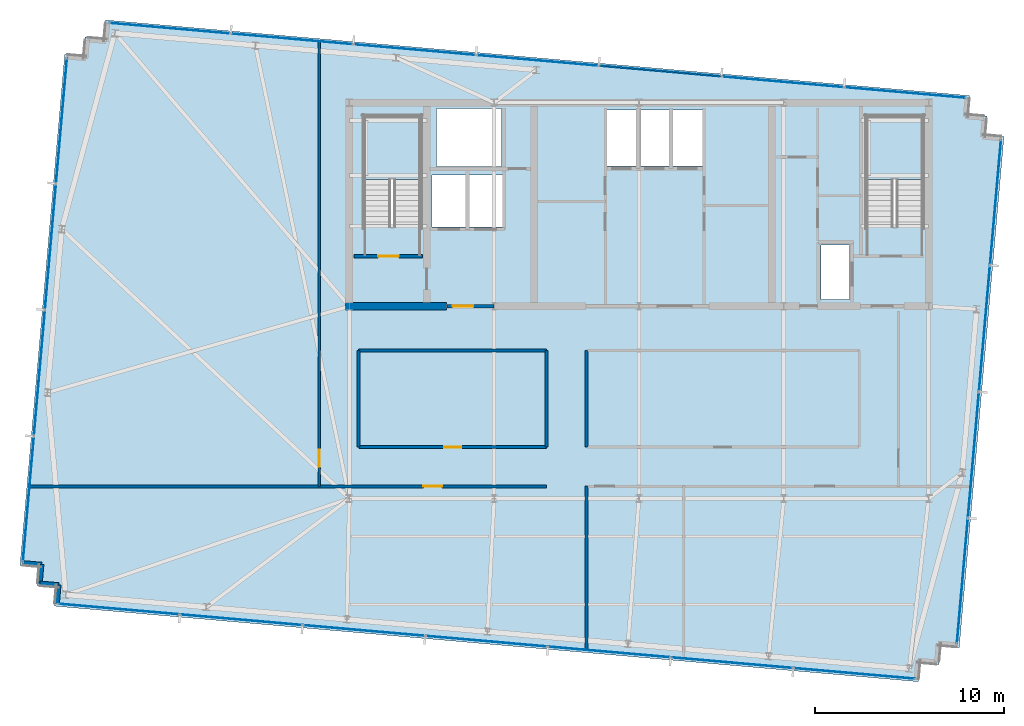
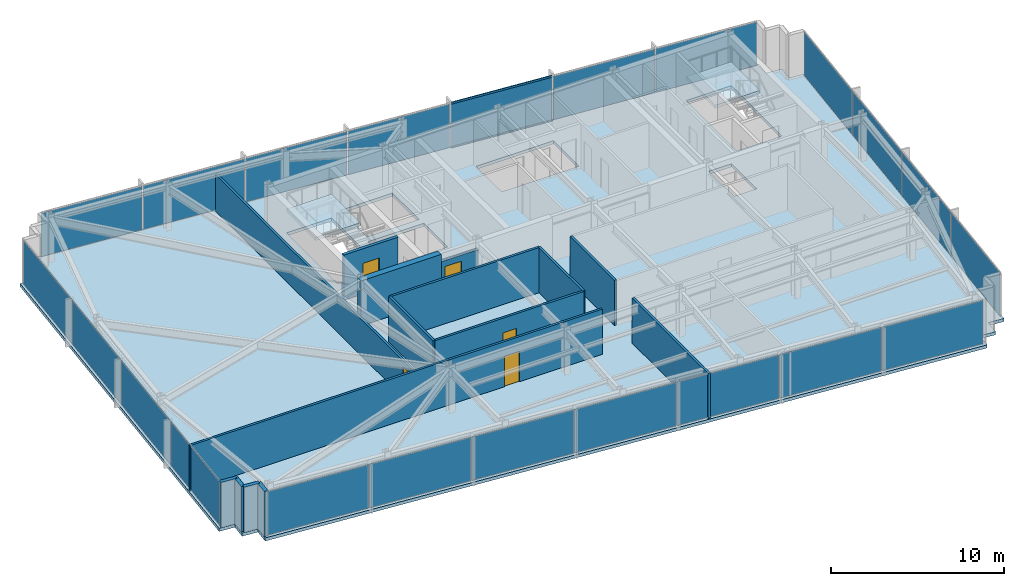
# One storey, part 26 of 32: 22 plates, 15 walls, 5 doors, 3 slabs, 2 members, 5 openings, 6 elements without a shape of their own.
"""IFC4 building model written with IfcOpenShell, lengths in metres."""

from ifc_helpers import new_model, si_unit, direction, frame, frame_2d, origin, origin_2d, place, context, subcontext, project, spatial, polyline, rectangle, hollow_rectangle, outline, extrude, material, layer, layer_set, material_profile, profile_set, type_object, element, fill, aggregate, save


model = new_model("IFC4")

# Units and contexts
model_context = context("Model", 3, precision=1e-05, world=origin(), true_north=direction((0.0, 1.0)))
body_context = subcontext(model_context, "Body", "Model", "MODEL_VIEW")
ifc_project = project(units=[si_unit("LENGTHUNIT", "METRE"), si_unit("AREAUNIT", "SQUARE_METRE"), si_unit("VOLUMEUNIT", "CUBIC_METRE"), si_unit("PLANEANGLEUNIT", "RADIAN"), si_unit("MASSUNIT", "GRAM", prefix="KILO")], contexts=[model_context])

# Site, building, storey
site_placement = place(None, origin())
site = spatial("IfcSite", under=ifc_project, at=site_placement, CompositionType="ELEMENT")
building_placement = place(site_placement, origin())
building = spatial("IfcBuilding", under=site, at=building_placement, Name="Yelkora Congress Tower", CompositionType="ELEMENT")
storey_placement = place(building_placement, frame((0.0, 0.0, 262.5)))
storey = spatial("IfcBuildingStorey", under=building, at=storey_placement, Name="L73", CompositionType="ELEMENT", Elevation=262.5)

# Curtain wall, members
ifc_material_1 = material(Name="Anodised aluminium and insulated glass", Category="aluminium")
curtain_wall_type = type_object("IfcCurtainWallType", Name="CW-SYS-B5", PredefinedType="NOTDEFINED", material=ifc_material_1)
curtain_wall_1_placement = place(storey_placement, origin())
curtain_wall_1 = element("IfcCurtainWall", 1, at=curtain_wall_1_placement, inside=storey, type_object=curtain_wall_type, Name="L73 Unitised Curtain Wall 10", PredefinedType="NOTDEFINED")
ifc_material_2 = material(Name="Anodised aluminium 6063-T6", Category="aluminium")
ifc_material_profile = material_profile(ifc_material_2, hollow_rectangle(XDim=0.06005859375, YDim=0.1298828125, WallThickness=0.00390625, at=origin_2d()), Name="ALU 60x130x4")
ifc_profile_set = profile_set([ifc_material_profile], Name="Anodised aluminium 6063-T6")
member_type = type_object("IfcMemberType", Name="MEM-TR-B5", PredefinedType="USERDEFINED", material=ifc_profile_set)
member_1_placement = place(storey_placement, frame((36.298583984375, 48.14794921875, 0.030029296875), z_axis=(0.996192979814, -0.08717538052, 0.0), x_axis=(0.08717538052, 0.996192979814, 0.0)))
member_1 = element("IfcMember", 2, at=member_1_placement, type_object=member_type, Name="CW-B5 transom 5.1", ObjectType="TRANSOM", PredefinedType="USERDEFINED", context=body_context, shape_type="SweptSolid", body=[
    extrude(hollow_rectangle(XDim=0.06005859375, YDim=0.1298828125, WallThickness=0.00390625, at=origin_2d()), origin(), (0.0, 0.0, 1.0), 6.466552734375),
])
member_2_placement = place(storey_placement, frame((36.298583984375, 48.14794921875, 3.14990234375), z_axis=(0.996192979814, -0.08717538052, 0.0), x_axis=(0.08717538052, 0.996192979814, 0.0)))
member_2 = element("IfcMember", 3, at=member_2_placement, type_object=member_type, Name="CW-B5 transom 5.2", ObjectType="TRANSOM", PredefinedType="USERDEFINED", context=body_context, shape_type="SweptSolid", body=[
    extrude(hollow_rectangle(XDim=0.06005859375, YDim=0.1298828125, WallThickness=0.00390625, at=origin_2d()), origin(), (0.0, 0.0, 1.0), 6.466552734375),
])

# Curtain wall, plates
curtain_wall_2_placement = place(storey_placement, origin())
curtain_wall_2 = element("IfcCurtainWall", 4, at=curtain_wall_2_placement, inside=storey, type_object=curtain_wall_type, Name="L73 Unitised Curtain Wall 5", PredefinedType="NOTDEFINED")
ifc_material_3 = material(Name="High-altitude triple glazed unit B5", Category="glass")
ifc_layer_1 = layer(ifc_material_3, 0.033935546875)
ifc_layer_set_1 = layer_set([ifc_layer_1], Name="High-altitude triple glazed unit B5")
plate_type = type_object("IfcPlateType", Name="PLT-PN-B5", PredefinedType="CURTAIN_PANEL", material=ifc_layer_set_1)
plate_1_placement = place(storey_placement, frame((6.021728515625, 25.16064453125, 0.06005859375), z_axis=(0.0, 0.0, 1.0), x_axis=(0.08715473876, 0.996194785929, 0.0)))
plate_1 = element("IfcPlate", 5, at=plate_1_placement, type_object=plate_type, Name="CW-B5 panel 1.1", PredefinedType="CURTAIN_PANEL", context=body_context, shape_type="SweptSolid", body=[
    extrude(rectangle(XDim=6.632568359375, YDim=0.033935546875, at=origin_2d()), origin(), (0.0, 0.0, 1.0), 3.06005859375),
])
plate_2_placement = place(storey_placement, frame((6.60693359375, 31.848876953125, 0.06005859375), z_axis=(0.0, 0.0, 1.0), x_axis=(0.08715473876, 0.996194785929, 0.0)))
plate_2 = element("IfcPlate", 6, at=plate_2_placement, type_object=plate_type, Name="CW-B5 panel 2.1", PredefinedType="CURTAIN_PANEL", context=body_context, shape_type="SweptSolid", body=[
    extrude(rectangle(XDim=6.6650390625, YDim=0.033935546875, at=origin_2d()), origin(), (0.0, 0.0, 1.0), 3.06005859375),
])
plate_3_placement = place(storey_placement, frame((7.193359375, 38.55322265625, 0.06005859375), z_axis=(0.0, 0.0, 1.0), x_axis=(0.08715473876, 0.996194785929, 0.0)))
plate_3 = element("IfcPlate", 7, at=plate_3_placement, type_object=plate_type, Name="CW-B5 panel 3.1", PredefinedType="CURTAIN_PANEL", context=body_context, shape_type="SweptSolid", body=[
    extrude(rectangle(XDim=6.6650390625, YDim=0.033935546875, at=origin_2d()), origin(), (0.0, 0.0, 1.0), 3.06005859375),
])
plate_4_placement = place(storey_placement, frame((7.778564453125, 45.2412109375, 0.06005859375), z_axis=(0.0, 0.0, 1.0), x_axis=(0.08715473876, 0.996194785929, 0.0)))
plate_4 = element("IfcPlate", 8, at=plate_4_placement, type_object=plate_type, Name="CW-B5 panel 4.1", PredefinedType="CURTAIN_PANEL", context=body_context, shape_type="SweptSolid", body=[
    extrude(rectangle(XDim=6.632568359375, YDim=0.033935546875, at=origin_2d()), origin(), (0.0, 0.0, 1.0), 3.06005859375),
])
aggregate(curtain_wall_2, [plate_1, plate_2, plate_3, plate_4])

# Plate
plate_5_placement = place(storey_placement, frame((13.509521484375, 50.141845703125, 0.06005859375), z_axis=(0.0, 0.0, 1.0), x_axis=(0.996194619601, -0.087156639893, 0.0)))
plate_5 = element("IfcPlate", 9, at=plate_5_placement, type_object=plate_type, Name="CW-B5 panel 1.1", PredefinedType="CURTAIN_PANEL", context=body_context, shape_type="SweptSolid", body=[
    extrude(rectangle(XDim=6.433837890625, YDim=0.033935546875, at=origin_2d()), origin(), (0.0, 0.0, 1.0), 3.06005859375),
])

plate_6_placement = place(storey_placement, frame((19.999755859375, 49.573974609375, 0.06005859375), z_axis=(0.0, 0.0, 1.0), x_axis=(0.996194619601, -0.087156639893, 0.0)))
plate_6 = element("IfcPlate", 10, at=plate_6_placement, type_object=plate_type, Name="CW-B5 panel 2.1", PredefinedType="CURTAIN_PANEL", context=body_context, shape_type="SweptSolid", body=[
    extrude(rectangle(XDim=6.46630859375, YDim=0.033935546875, at=origin_2d()), origin(), (0.0, 0.0, 1.0), 3.06005859375),
])

plate_7_placement = place(storey_placement, frame((26.50634765625, 49.004638671875, 0.06005859375), z_axis=(0.0, 0.0, 1.0), x_axis=(0.996194619601, -0.087156639893, 0.0)))
plate_7 = element("IfcPlate", 11, at=plate_7_placement, type_object=plate_type, Name="CW-B5 panel 3.1", PredefinedType="CURTAIN_PANEL", context=body_context, shape_type="SweptSolid", body=[
    extrude(rectangle(XDim=6.46630859375, YDim=0.033935546875, at=origin_2d()), origin(), (0.0, 0.0, 1.0), 3.06005859375),
])

plate_8_placement = place(storey_placement, frame((33.012939453125, 48.435302734375, 0.06005859375), z_axis=(0.0, 0.0, 1.0), x_axis=(0.996194619601, -0.087156639893, 0.0)))
plate_8 = element("IfcPlate", 12, at=plate_8_placement, type_object=plate_type, Name="CW-B5 panel 4.1", PredefinedType="CURTAIN_PANEL", context=body_context, shape_type="SweptSolid", body=[
    extrude(rectangle(XDim=6.46630859375, YDim=0.033935546875, at=origin_2d()), origin(), (0.0, 0.0, 1.0), 3.06005859375),
])

plate_9_placement = place(storey_placement, frame((39.51953125, 47.8662109375, 0.06005859375), z_axis=(0.0, 0.0, 1.0), x_axis=(0.996194619601, -0.087156639893, 0.0)))
plate_9 = element("IfcPlate", 13, at=plate_9_placement, type_object=plate_type, Name="CW-B5 panel 5.1", PredefinedType="CURTAIN_PANEL", context=body_context, shape_type="SweptSolid", body=[
    extrude(rectangle(XDim=6.46630859375, YDim=0.033935546875, at=origin_2d()), origin(), (0.0, 0.0, 1.0), 3.06005859375),
])

plate_10_placement = place(storey_placement, frame((46.026123046875, 47.296875, 0.06005859375), z_axis=(0.0, 0.0, 1.0), x_axis=(0.996194619601, -0.087156639893, 0.0)))
plate_10 = element("IfcPlate", 14, at=plate_10_placement, type_object=plate_type, Name="CW-B5 panel 6.1", PredefinedType="CURTAIN_PANEL", context=body_context, shape_type="SweptSolid", body=[
    extrude(rectangle(XDim=6.46630859375, YDim=0.033935546875, at=origin_2d()), origin(), (0.0, 0.0, 1.0), 3.06005859375),
])

plate_11_placement = place(storey_placement, frame((52.5166015625, 46.72900390625, 0.06005859375), z_axis=(0.0, 0.0, 1.0), x_axis=(0.996194619601, -0.087156639893, 0.0)))
plate_11 = element("IfcPlate", 15, at=plate_11_placement, type_object=plate_type, Name="CW-B5 panel 7.1", PredefinedType="CURTAIN_PANEL", context=body_context, shape_type="SweptSolid", body=[
    extrude(rectangle(XDim=6.433837890625, YDim=0.033935546875, at=origin_2d()), origin(), (0.0, 0.0, 1.0), 3.06005859375),
])

aggregate(curtain_wall_1, [plate_5, plate_6, plate_7, plate_8, member_1, member_2, plate_9, plate_10, plate_11])

# Curtain wall, plates
curtain_wall_3_placement = place(storey_placement, origin())
curtain_wall_3 = element("IfcCurtainWall", 16, at=curtain_wall_3_placement, inside=storey, type_object=curtain_wall_type, Name="L73 Unitised Curtain Wall 15", PredefinedType="NOTDEFINED")
plate_12_placement = place(storey_placement, frame((57.309326171875, 40.907958984375, 0.06005859375), z_axis=(0.0, 0.0, 1.0), x_axis=(-0.087158425264, -0.996194463398, 0.0)))
plate_12 = element("IfcPlate", 17, at=plate_12_placement, type_object=plate_type, Name="CW-B5 panel 1.1", PredefinedType="CURTAIN_PANEL", context=body_context, shape_type="SweptSolid", body=[
    extrude(rectangle(XDim=6.632568359375, YDim=0.033935546875, at=origin_2d()), origin(), (0.0, 0.0, 1.0), 3.06005859375),
])
plate_13_placement = place(storey_placement, frame((56.72412109375, 34.2197265625, 0.06005859375), z_axis=(0.0, 0.0, 1.0), x_axis=(-0.087158425264, -0.996194463398, 0.0)))
plate_13 = element("IfcPlate", 18, at=plate_13_placement, type_object=plate_type, Name="CW-B5 panel 2.1", PredefinedType="CURTAIN_PANEL", context=body_context, shape_type="SweptSolid", body=[
    extrude(rectangle(XDim=6.6650390625, YDim=0.033935546875, at=origin_2d()), origin(), (0.0, 0.0, 1.0), 3.06005859375),
])
plate_14_placement = place(storey_placement, frame((56.1376953125, 27.515380859375, 0.06005859375), z_axis=(0.0, 0.0, 1.0), x_axis=(-0.087158425264, -0.996194463398, 0.0)))
plate_14 = element("IfcPlate", 19, at=plate_14_placement, type_object=plate_type, Name="CW-B5 panel 3.1", PredefinedType="CURTAIN_PANEL", context=body_context, shape_type="SweptSolid", body=[
    extrude(rectangle(XDim=6.6650390625, YDim=0.033935546875, at=origin_2d()), origin(), (0.0, 0.0, 1.0), 3.06005859375),
])
plate_15_placement = place(storey_placement, frame((55.552490234375, 20.8271484375, 0.06005859375), z_axis=(0.0, 0.0, 1.0), x_axis=(-0.087158425264, -0.996194463398, 0.0)))
plate_15 = element("IfcPlate", 20, at=plate_15_placement, type_object=plate_type, Name="CW-B5 panel 4.1", PredefinedType="CURTAIN_PANEL", context=body_context, shape_type="SweptSolid", body=[
    extrude(rectangle(XDim=6.632568359375, YDim=0.033935546875, at=origin_2d()), origin(), (0.0, 0.0, 1.0), 3.06005859375),
])
aggregate(curtain_wall_3, [plate_12, plate_13, plate_14, plate_15])

curtain_wall_4_placement = place(storey_placement, origin())
curtain_wall_4 = element("IfcCurtainWall", 21, at=curtain_wall_4_placement, inside=storey, type_object=curtain_wall_type, Name="L73 Unitised Curtain Wall 20", PredefinedType="NOTDEFINED")
plate_16_placement = place(storey_placement, frame((49.821533203125, 15.9267578125, 0.06005859375), z_axis=(0.0, 0.0, 1.0), x_axis=(-0.996194602987, 0.087156829793, 0.0)))
plate_16 = element("IfcPlate", 22, at=plate_16_placement, type_object=plate_type, Name="CW-B5 panel 1.1", PredefinedType="CURTAIN_PANEL", context=body_context, shape_type="SweptSolid", body=[
    extrude(rectangle(XDim=6.433837890625, YDim=0.033935546875, at=origin_2d()), origin(), (0.0, 0.0, 1.0), 3.06005859375),
])
plate_17_placement = place(storey_placement, frame((43.331298828125, 16.49462890625, 0.06005859375), z_axis=(0.0, 0.0, 1.0), x_axis=(-0.996194602987, 0.087156829793, 0.0)))
plate_17 = element("IfcPlate", 23, at=plate_17_placement, type_object=plate_type, Name="CW-B5 panel 2.1", PredefinedType="CURTAIN_PANEL", context=body_context, shape_type="SweptSolid", body=[
    extrude(rectangle(XDim=6.46630859375, YDim=0.033935546875, at=origin_2d()), origin(), (0.0, 0.0, 1.0), 3.06005859375),
])
plate_18_placement = place(storey_placement, frame((36.82470703125, 17.06396484375, 0.06005859375), z_axis=(0.0, 0.0, 1.0), x_axis=(-0.996194602987, 0.087156829793, 0.0)))
plate_18 = element("IfcPlate", 24, at=plate_18_placement, type_object=plate_type, Name="CW-B5 panel 3.1", PredefinedType="CURTAIN_PANEL", context=body_context, shape_type="SweptSolid", body=[
    extrude(rectangle(XDim=6.46630859375, YDim=0.033935546875, at=origin_2d()), origin(), (0.0, 0.0, 1.0), 3.06005859375),
])
plate_19_placement = place(storey_placement, frame((30.318115234375, 17.633056640625, 0.06005859375), z_axis=(0.0, 0.0, 1.0), x_axis=(-0.996194602987, 0.087156829793, 0.0)))
plate_19 = element("IfcPlate", 25, at=plate_19_placement, type_object=plate_type, Name="CW-B5 panel 4.1", PredefinedType="CURTAIN_PANEL", context=body_context, shape_type="SweptSolid", body=[
    extrude(rectangle(XDim=6.46630859375, YDim=0.033935546875, at=origin_2d()), origin(), (0.0, 0.0, 1.0), 3.06005859375),
])
plate_20_placement = place(storey_placement, frame((23.8115234375, 18.202392578125, 0.06005859375), z_axis=(0.0, 0.0, 1.0), x_axis=(-0.996194602987, 0.087156829793, 0.0)))
plate_20 = element("IfcPlate", 26, at=plate_20_placement, type_object=plate_type, Name="CW-B5 panel 5.1", PredefinedType="CURTAIN_PANEL", context=body_context, shape_type="SweptSolid", body=[
    extrude(rectangle(XDim=6.46630859375, YDim=0.033935546875, at=origin_2d()), origin(), (0.0, 0.0, 1.0), 3.06005859375),
])
plate_21_placement = place(storey_placement, frame((17.304931640625, 18.771728515625, 0.06005859375), z_axis=(0.0, 0.0, 1.0), x_axis=(-0.996194602987, 0.087156829793, 0.0)))
plate_21 = element("IfcPlate", 27, at=plate_21_placement, type_object=plate_type, Name="CW-B5 panel 6.1", PredefinedType="CURTAIN_PANEL", context=body_context, shape_type="SweptSolid", body=[
    extrude(rectangle(XDim=6.46630859375, YDim=0.033935546875, at=origin_2d()), origin(), (0.0, 0.0, 1.0), 3.06005859375),
])
plate_22_placement = place(storey_placement, frame((10.814697265625, 19.33935546875, 0.06005859375), z_axis=(0.0, 0.0, 1.0), x_axis=(-0.996194602987, 0.087156829793, 0.0)))
plate_22 = element("IfcPlate", 28, at=plate_22_placement, type_object=plate_type, Name="CW-B5 panel 7.1", PredefinedType="CURTAIN_PANEL", context=body_context, shape_type="SweptSolid", body=[
    extrude(rectangle(XDim=6.433837890625, YDim=0.033935546875, at=origin_2d()), origin(), (0.0, 0.0, 1.0), 3.06005859375),
])
aggregate(curtain_wall_4, [plate_16, plate_17, plate_18, plate_19, plate_20, plate_21, plate_22])

# Stair, slab
ifc_material_4 = material(Name="Concrete C40/50", Category="concrete")
stair_type = type_object("IfcStairType", Name="STAIR-HT-1420-R20-170", PredefinedType="HALF_TURN_STAIR", material=ifc_material_4)
stair_1_placement = place(storey_placement, origin())
stair_1 = element("IfcStair", 29, at=stair_1_placement, inside=storey, type_object=stair_type, Name="West Core Protected Exit Stair ST-01 (L73)", PredefinedType="HALF_TURN_STAIR")
ifc_layer_2 = layer(ifc_material_4, 0.219970703125)
ifc_layer_set_2 = layer_set([ifc_layer_2], Name="Concrete C40/50")
slab_type_1 = type_object("IfcSlabType", Name="SLAB-LANDING-220", PredefinedType="LANDING", material=ifc_layer_set_2)
slab_1_placement = place(storey_placement, frame((0.0, 0.0, 1.47998046875)))
slab_1 = element("IfcSlab", 30, at=slab_1_placement, type_object=slab_type_1, Name="ST-01 L73 Half Landing 1", PredefinedType="LANDING", context=body_context, shape_type="SweptSolid", body=[
    extrude(outline(polyline([(26.820068359375, 42.1201171875), (26.820068359375, 45.469970703125), (23.820068359375, 45.469970703125), (23.820068359375, 42.1201171875), (26.820068359375, 42.1201171875)])), origin(), (0.0, 0.0, 1.0), 0.219970703125),
])
aggregate(stair_1, [slab_1])

stair_2_placement = place(storey_placement, origin())
stair_2 = element("IfcStair", 31, at=stair_2_placement, inside=storey, type_object=stair_type, Name="East Core Protected Exit Stair ST-02 (L73)", PredefinedType="HALF_TURN_STAIR")
slab_2_placement = place(storey_placement, frame((0.0, 0.0, 1.47998046875)))
slab_2 = element("IfcSlab", 32, at=slab_2_placement, type_object=slab_type_1, Name="ST-02 L73 Half Landing 1", PredefinedType="LANDING", context=body_context, shape_type="SweptSolid", body=[
    extrude(outline(polyline([(53.4599609375, 42.1201171875), (53.4599609375, 45.469970703125), (50.4599609375, 45.469970703125), (50.4599609375, 42.1201171875), (53.4599609375, 42.1201171875)])), origin(), (0.0, 0.0, 1.0), 0.219970703125),
])
aggregate(stair_2, [slab_2])

# Slab
ifc_layer_3 = layer(ifc_material_4, 0.219970703125)
ifc_layer_set_3 = layer_set([ifc_layer_3], Name="Concrete C40/50")
slab_type_2 = type_object("IfcSlabType", Name="SLAB-TWR-220", PredefinedType="FLOOR", material=ifc_layer_set_3)
slab_3_placement = place(storey_placement, frame((0.0, 0.0, -0.219970703125)))
element("IfcSlab", 33, at=slab_3_placement, inside=storey, type_object=slab_type_2, Name="L73 Structural Floor Slab", PredefinedType="FLOOR", context=body_context, shape_type="SweptSolid", body=[
    extrude(outline(polyline([(7.3935546875, 19.498291015625), (53.218505859375, 15.489013671875), (53.3056640625, 16.485107421875), (54.3017578125, 16.398193359375), (54.388916015625, 17.394287109375), (55.385009765625, 17.30712890625), (57.755859375, 44.403564453125), (56.759521484375, 44.49072265625), (56.8466796875, 45.487060546875), (55.8505859375, 45.57421875), (55.937744140625, 46.5703125), (10.11279296875, 50.57958984375), (10.025634765625, 49.583251953125), (9.029296875, 49.67041015625), (8.942138671875, 48.67431640625), (7.946044921875, 48.761474609375), (5.575439453125, 21.664794921875), (6.571533203125, 21.57763671875), (6.484619140625, 20.58154296875), (7.480712890625, 20.494384765625), (7.3935546875, 19.498291015625)]), holes=[polyline([(23.820068359375, 39.6298828125), (26.820068359375, 39.6298828125), (26.820068359375, 45.469970703125), (23.820068359375, 45.469970703125), (23.820068359375, 39.6298828125)]), polyline([(50.4599609375, 39.6298828125), (53.4599609375, 39.6298828125), (53.4599609375, 45.469970703125), (50.4599609375, 45.469970703125), (50.4599609375, 39.6298828125)]), polyline([(48.050048828125, 35.75), (49.550048828125, 35.75), (49.550048828125, 38.64990234375), (48.050048828125, 38.64990234375), (48.050048828125, 35.75)]), polyline([(36.64990234375, 42.85009765625), (41.800048828125, 42.85009765625), (41.800048828125, 45.800048828125), (36.64990234375, 45.800048828125), (36.64990234375, 42.85009765625)]), polyline([(27.419921875, 39.60009765625), (31.179931640625, 39.60009765625), (31.179931640625, 42.35009765625), (27.419921875, 42.35009765625), (27.419921875, 39.60009765625)]), polyline([(27.64990234375, 42.820068359375), (31.1201171875, 42.820068359375), (31.1201171875, 45.8798828125), (27.64990234375, 45.8798828125), (27.64990234375, 42.820068359375)])]), origin(), (0.0, 0.0, 1.0), 0.219970703125),
])

# Walls
ifc_material_5 = material(Name="Concrete C50/60", Category="concrete")
ifc_layer_4 = layer(ifc_material_5, 0.39990234375)
ifc_layer_set_4 = layer_set([ifc_layer_4], Name="Concrete C50/60")
wall_type_1 = type_object("IfcWallType", Name="WALL-CORE-INT-400", PredefinedType="SHEAR", material=ifc_layer_set_4)
wall_1_placement = place(storey_placement, frame((22.840087890625, 35.39990234375, 0.0), z_axis=(0.0, 0.0, 1.0), x_axis=(1.0, 0.0, 0.0)))
element("IfcWall", 34, at=wall_1_placement, inside=storey, type_object=wall_type_1, Name="L73 Rear Core South-West Shear Wall", PredefinedType="SHEAR", context=body_context, shape_type="SweptSolid", body=[
    extrude(rectangle(XDim=5.35986328125, YDim=0.39990234375, at=frame_2d((2.679931640625, 0.0))), origin(), (0.0, 0.0, 1.0), 3.179931640625),
])
ifc_layer_5 = layer(ifc_material_4, 0.239990234375)
ifc_layer_set_5 = layer_set([ifc_layer_5], Name="Concrete C40/50")
wall_type_2 = type_object("IfcWallType", Name="WALL-EXT-LIMESTONE-240", PredefinedType="SOLIDWALL", material=ifc_layer_set_5)
for number, where, z_axis, x_axis, name in (
    (35, (7.545166015625, 19.62548828125, 0.0), (0.0, 0.0, 1.0), (0.087166950281, 0.996193717496, 0.0), "L73 Serrated Corner Limestone Pier 1"),
    (36, (7.63232421875, 20.62158203125, 0.0), (0.0, 0.0, 1.0), (-0.996193717496, 0.087166950281, 0.0), "L73 Serrated Corner Limestone Pier 2"),
):
    element("IfcWall", number, at=place(storey_placement, frame(where, z_axis=z_axis, x_axis=x_axis)), inside=storey, type_object=wall_type_2, Name=name, PredefinedType="SOLIDWALL", context=body_context, shape_type="SweptSolid", body=[
        extrude(rectangle(XDim=1.0, YDim=0.239990234375, at=frame_2d((0.5, 0.0))), origin(), (0.0, 0.0, 1.0), 3.179931640625),
    ])
for number, where, z_axis, x_axis, name in (
    (37, (6.63623046875, 20.708740234375, 0.0), (0.0, 0.0, 1.0), (0.087145753297, 0.996195572005, 0.0), "L73 Serrated Corner Limestone Pier 3"),
    (38, (6.723388671875, 21.705078125, 0.0), (0.0, 0.0, 1.0), (-0.996195572005, 0.087145753297, 0.0), "L73 Serrated Corner Limestone Pier 4"),
):
    element("IfcWall", number, at=place(storey_placement, frame(where, z_axis=z_axis, x_axis=x_axis)), inside=storey, type_object=wall_type_2, Name=name, PredefinedType="SOLIDWALL", context=body_context, shape_type="SweptSolid", body=[
        extrude(rectangle(XDim=1.000244140625, YDim=0.239990234375, at=frame_2d((0.5, 0.0))), origin(), (0.0, 0.0, 1.0), 3.179931640625),
    ])
ifc_material_6 = material(Name="Acoustic metal-stud gypsum partition", Category="gypsum")
ifc_layer_6 = layer(ifc_material_6, 0.14990234375)
ifc_layer_set_6 = layer_set([ifc_layer_6], Name="Acoustic metal-stud gypsum partition")
wall_type_3 = type_object("IfcWallType", Name="WALL-INT-150-NR", PredefinedType="PARTITIONING", material=ifc_layer_set_6)
wall_2_placement = place(storey_placement, frame((35.6201171875, 17.10888671875, 0.0), z_axis=(0.0, 0.0, 1.0), x_axis=(0.0, 1.0, 0.0)))
element("IfcWall", 39, at=wall_2_placement, inside=storey, type_object=wall_type_3, Name="L73 Partition Wall 23", PredefinedType="PARTITIONING", context=body_context, shape_type="SweptSolid", body=[
    extrude(rectangle(XDim=8.76123046875, YDim=0.14990234375, at=frame_2d((4.380615234375, 0.0))), origin(), (0.0, 0.0, 1.0), 3.179931640625),
])

# Wall, opening, door
wall_3_placement = place(storey_placement, frame((6.021728515625, 25.85009765625, 0.0), z_axis=(0.0, 0.0, 1.0), x_axis=(1.0, 0.0, 0.0)))
wall_3 = element("IfcWall", 40, at=wall_3_placement, inside=storey, type_object=wall_type_3, Name="L73 South Spine Wall West", PredefinedType="PARTITIONING", context=body_context, shape_type="SweptSolid", body=[
    extrude(rectangle(XDim=27.478271484375, YDim=0.14990234375, at=frame_2d((13.7392578125, 0.0))), origin(), (0.0, 0.0, 1.0), 3.179931640625),
])
opening_1_placement = place(wall_3_placement, frame((20.943115234375, 0.0, 0.0)))
opening_1 = element("IfcOpeningElement", 41, at=opening_1_placement, cuts=wall_3, Name="Opening DR-100N", PredefinedType="OPENING", context=body_context, shape_type="SweptSolid", body=[
    extrude(rectangle(XDim=1.0, YDim=2.14990234375, at=frame_2d((0.5, 1.074951171875))), frame((0.0, 0.0849609375, 0.0), z_axis=(0.0, -1.0, 0.0), x_axis=(1.0, 0.0, 0.0)), (0.0, 0.0, 1.0), 0.169921875),
])
ifc_material_7 = material(Name="Solid-core Anatolian oak veneer door", Category="wood")
door_type_1 = type_object("IfcDoorType", Name="DOOR-INT-1000", OperationType="NOTDEFINED", PredefinedType="DOOR", material=ifc_material_7)
door_1_placement = place(opening_1_placement, origin())
door_1 = element("IfcDoor", 42, at=door_1_placement, inside=storey, type_object=door_type_1, Name="L73 Committee Meeting Room Door", OperationType="SINGLE_SWING_RIGHT", OverallHeight=2.14990234375, OverallWidth=1.0, PredefinedType="DOOR", context=body_context, shape_type="SweptSolid", body=[
    extrude(rectangle(XDim=1.0, YDim=2.14990234375, at=frame_2d((0.5, 1.074951171875))), frame((0.0, 0.02490234375, 0.0), z_axis=(0.0, -1.0, 0.0), x_axis=(1.0, 0.0, 0.0)), (0.0, 0.0, 1.0), 0.050048828125),
])
fill(opening_1, door_1)

wall_4_placement = place(storey_placement, frame((21.43994140625, 25.85009765625, 0.0), z_axis=(0.0, 0.0, 1.0), x_axis=(0.0, 1.0, 0.0)))
wall_4 = element("IfcWall", 43, at=wall_4_placement, inside=storey, type_object=wall_type_3, Name="L73 Partition Wall 27", PredefinedType="PARTITIONING", context=body_context, shape_type="SweptSolid", body=[
    extrude(rectangle(XDim=23.658203125, YDim=0.14990234375, at=frame_2d((11.8291015625, 0.0))), origin(), (0.0, 0.0, 1.0), 2.574951171875),
])
opening_2_placement = place(wall_4_placement, frame((1.030029296875, 0.0, 0.0)))
opening_2 = element("IfcOpeningElement", 44, at=opening_2_placement, cuts=wall_4, Name="Opening DR-090N", PredefinedType="OPENING", context=body_context, shape_type="SweptSolid", body=[
    extrude(rectangle(XDim=0.89990234375, YDim=2.14990234375, at=frame_2d((0.449951171875, 1.074951171875))), frame((0.0, 0.0849609375, 0.0), z_axis=(0.0, -1.0, 0.0), x_axis=(1.0, 0.0, 0.0)), (0.0, 0.0, 1.0), 0.169921875),
])
ifc_material_8 = material(Name="Moisture-resistant laminate door leaf", Category="wood")
door_type_2 = type_object("IfcDoorType", Name="DOOR-INT-900", OperationType="NOTDEFINED", PredefinedType="DOOR", material=ifc_material_8)
door_2_placement = place(opening_2_placement, origin())
door_2 = element("IfcDoor", 45, at=door_2_placement, inside=storey, type_object=door_type_2, Name="L73 W Wing Door", OperationType="SINGLE_SWING_LEFT", OverallHeight=2.14990234375, OverallWidth=0.89990234375, PredefinedType="DOOR", context=body_context, shape_type="SweptSolid", body=[
    extrude(rectangle(XDim=0.89990234375, YDim=2.14990234375, at=frame_2d((0.449951171875, 1.074951171875))), frame((0.0, 0.02490234375, 0.0), z_axis=(0.0, -1.0, 0.0), x_axis=(1.0, 0.0, 0.0)), (0.0, 0.0, 1.0), 0.050048828125),
])
fill(opening_2, door_2)

# Walls
for number, where, z_axis, x_axis, name in (
    (46, (23.52001953125, 27.929931640625, 0.0), (0.0, 0.0, 1.0), (0.0, 1.0, 0.0), "L73 Partition Wall 29"),
    (47, (33.5, 27.929931640625, 0.0), (0.0, 0.0, 1.0), (0.0, 1.0, 0.0), "L73 Partition Wall 31"),
    (48, (35.6201171875, 27.929931640625, 0.0), (0.0, 0.0, 1.0), (0.0, 1.0, 0.0), "L73 Partition Wall 32"),
):
    element("IfcWall", number, at=place(storey_placement, frame(where, z_axis=z_axis, x_axis=x_axis)), inside=storey, type_object=wall_type_3, Name=name, PredefinedType="PARTITIONING", context=body_context, shape_type="SweptSolid", body=[
        extrude(rectangle(XDim=5.1201171875, YDim=0.14990234375, at=frame_2d((2.56005859375, 0.0))), origin(), (0.0, 0.0, 1.0), 3.179931640625),
    ])
wall_5_placement = place(storey_placement, frame((23.52001953125, 33.050048828125, 0.0), z_axis=(0.0, 0.0, 1.0), x_axis=(1.0, 0.0, 0.0)))
element("IfcWall", 49, at=wall_5_placement, inside=storey, type_object=wall_type_3, Name="L73 Partition Wall 33", PredefinedType="PARTITIONING", context=body_context, shape_type="SweptSolid", body=[
    extrude(rectangle(XDim=9.97998046875, YDim=0.14990234375, at=frame_2d((4.989990234375, 0.0))), origin(), (0.0, 0.0, 1.0), 3.179931640625),
])

# Wall, opening, door
wall_6_placement = place(storey_placement, frame((23.5400390625, 27.929931640625, 0.0), z_axis=(0.0, 0.0, 1.0), x_axis=(1.0, 0.0, 0.0)))
wall_6 = element("IfcWall", 50, at=wall_6_placement, inside=storey, type_object=wall_type_3, Name="L73 Partition Wall 35", PredefinedType="PARTITIONING", context=body_context, shape_type="SweptSolid", body=[
    extrude(rectangle(XDim=9.949951171875, YDim=0.14990234375, at=frame_2d((4.97509765625, 0.0))), origin(), (0.0, 0.0, 1.0), 3.179931640625),
])
opening_3_placement = place(wall_6_placement, frame((4.52490234375, 0.0, 0.0)))
opening_3 = element("IfcOpeningElement", 51, at=opening_3_placement, cuts=wall_6, Name="Opening DR-090N", PredefinedType="OPENING", context=body_context, shape_type="SweptSolid", body=[
    extrude(rectangle(XDim=0.89990234375, YDim=2.14990234375, at=frame_2d((0.449951171875, 1.074951171875))), frame((0.0, 0.0849609375, 0.0), z_axis=(0.0, -1.0, 0.0), x_axis=(1.0, 0.0, 0.0)), (0.0, 0.0, 1.0), 0.169921875),
])
door_3_placement = place(opening_3_placement, origin())
door_3 = element("IfcDoor", 52, at=door_3_placement, inside=storey, type_object=door_type_2, Name="L73 Catering Servery Kitchen Door", OperationType="SINGLE_SWING_LEFT", OverallHeight=2.14990234375, OverallWidth=0.89990234375, PredefinedType="DOOR", context=body_context, shape_type="SweptSolid", body=[
    extrude(rectangle(XDim=0.89990234375, YDim=2.14990234375, at=frame_2d((0.449951171875, 1.074951171875))), frame((0.0, 0.02490234375, 0.0), z_axis=(0.0, -1.0, 0.0), x_axis=(1.0, 0.0, 0.0)), (0.0, 0.0, 1.0), 0.050048828125),
])
fill(opening_3, door_3)

ifc_material_9 = material(Name="Autoclaved aerated concrete blockwork", Category="masonry")
ifc_layer_7 = layer(ifc_material_9, 0.199951171875)
ifc_layer_set_7 = layer_set([ifc_layer_7], Name="Autoclaved aerated concrete blockwork")
wall_type_4 = type_object("IfcWallType", Name="WALL-INT-200-R120", PredefinedType="PARTITIONING", material=ifc_layer_set_7)
wall_7_placement = place(storey_placement, frame((23.300048828125, 38.050048828125, 0.0), z_axis=(0.0, 0.0, 1.0), x_axis=(1.0, 0.0, 0.0)))
wall_7 = element("IfcWall", 53, at=wall_7_placement, inside=storey, type_object=wall_type_4, Name="L73 Stair ST-01 Enclosure Wall", PredefinedType="PARTITIONING", context=body_context, shape_type="SweptSolid", body=[
    extrude(rectangle(XDim=3.619873046875, YDim=0.199951171875, at=frame_2d((1.81005859375, 0.0))), origin(), (0.0, 0.0, 1.0), 3.179931640625),
])
opening_4_placement = place(wall_7_placement, frame((1.260009765625, 0.0, 0.0)))
opening_4 = element("IfcOpeningElement", 54, at=opening_4_placement, cuts=wall_7, Name="Opening DR-110F9", PredefinedType="OPENING", context=body_context, shape_type="SweptSolid", body=[
    extrude(rectangle(XDim=1.10009765625, YDim=2.14990234375, at=frame_2d((0.550048828125, 1.074951171875))), frame((0.0, 0.10986328125, 0.0), z_axis=(0.0, -1.0, 0.0), x_axis=(1.0, 0.0, 0.0)), (0.0, 0.0, 1.0), 0.219970703125),
])
ifc_material_10 = material(Name="Galvanised steel fire door leaf", Category="steel")
door_type_3 = type_object("IfcDoorType", Name="DOOR-FD90-1100", OperationType="NOTDEFINED", PredefinedType="DOOR", material=ifc_material_10)
door_4_placement = place(opening_4_placement, origin())
door_4 = element("IfcDoor", 55, at=door_4_placement, inside=storey, type_object=door_type_3, Name="L73 Stair ST-01 Entry Door", OperationType="SINGLE_SWING_LEFT", OverallHeight=2.14990234375, OverallWidth=1.10009765625, PredefinedType="DOOR", context=body_context, shape_type="SweptSolid", body=[
    extrude(rectangle(XDim=1.10009765625, YDim=2.14990234375, at=frame_2d((0.550048828125, 1.074951171875))), frame((0.0, 0.02490234375, 0.0), z_axis=(0.0, -1.0, 0.0), x_axis=(1.0, 0.0, 0.0)), (0.0, 0.0, 1.0), 0.050048828125),
])
fill(opening_4, door_4)

wall_8_placement = place(storey_placement, frame((28.219970703125, 35.39990234375, 0.0), z_axis=(0.0, 0.0, 1.0), x_axis=(1.0, 0.0, 0.0)))
wall_8 = element("IfcWall", 56, at=wall_8_placement, inside=storey, type_object=wall_type_4, Name="L73 Firefighting Lobby South Wall", PredefinedType="PARTITIONING", context=body_context, shape_type="SweptSolid", body=[
    extrude(rectangle(XDim=2.5, YDim=0.199951171875, at=frame_2d((1.25, 0.0))), origin(), (0.0, 0.0, 1.0), 2.574951171875),
])
opening_5_placement = place(wall_8_placement, frame((0.300048828125, 0.0, 0.0)))
opening_5 = element("IfcOpeningElement", 57, at=opening_5_placement, cuts=wall_8, Name="Opening DR-110F9", PredefinedType="OPENING", context=body_context, shape_type="SweptSolid", body=[
    extrude(rectangle(XDim=1.10009765625, YDim=2.14990234375, at=frame_2d((0.550048828125, 1.074951171875))), frame((0.0, 0.10986328125, 0.0), z_axis=(0.0, -1.0, 0.0), x_axis=(1.0, 0.0, 0.0)), (0.0, 0.0, 1.0), 0.219970703125),
])
door_5_placement = place(opening_5_placement, origin())
door_5 = element("IfcDoor", 58, at=door_5_placement, inside=storey, type_object=door_type_3, Name="L73 Firefighting Lobby Corridor Door", OperationType="SINGLE_SWING_RIGHT", OverallHeight=2.14990234375, OverallWidth=1.10009765625, PredefinedType="DOOR", context=body_context, shape_type="SweptSolid", body=[
    extrude(rectangle(XDim=1.10009765625, YDim=2.14990234375, at=frame_2d((0.550048828125, 1.074951171875))), frame((0.0, 0.02490234375, 0.0), z_axis=(0.0, -1.0, 0.0), x_axis=(1.0, 0.0, 0.0)), (0.0, 0.0, 1.0), 0.050048828125),
])
fill(opening_5, door_5)

save(model, "model.ifc")
